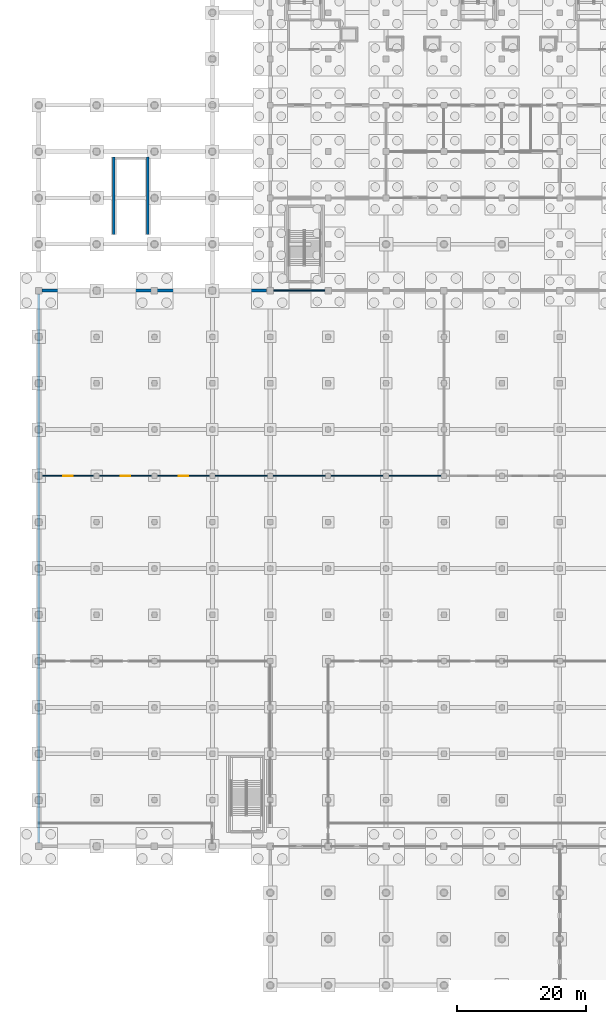
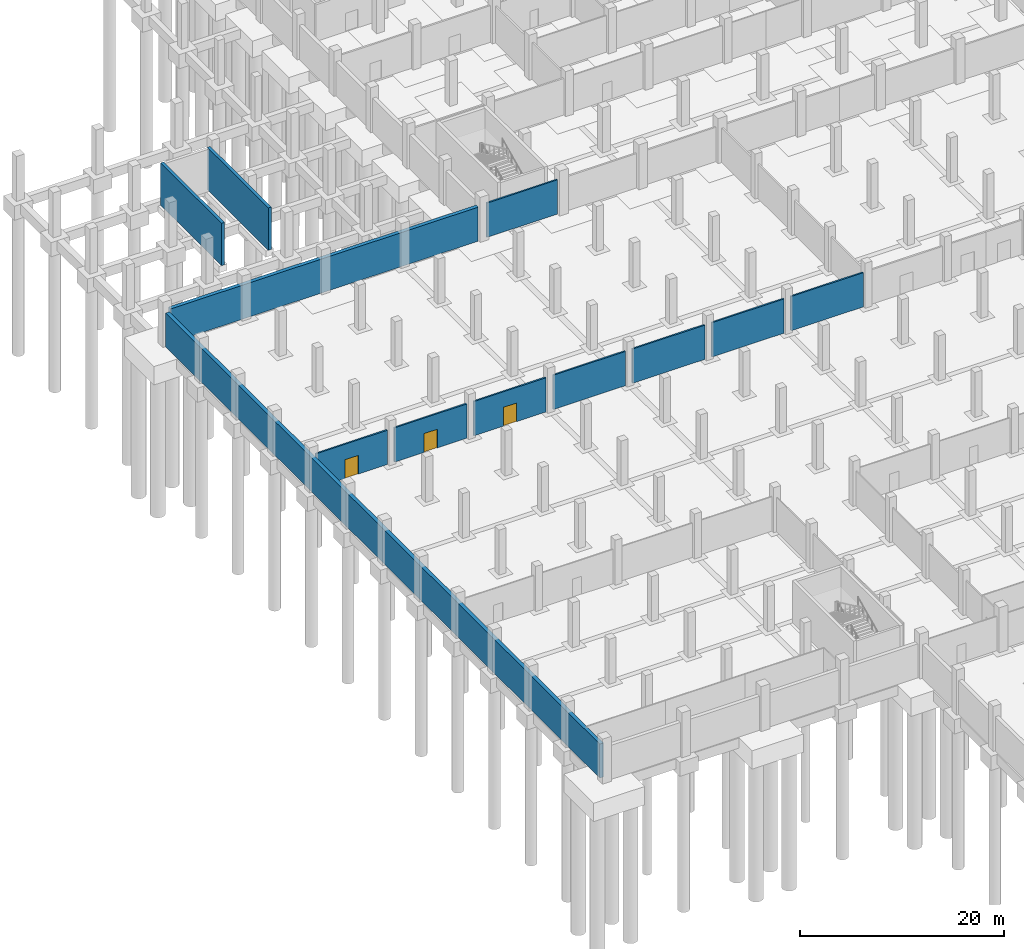
# One storey, part 19 of 39: 12 walls, 3 doors, 3 openings.
"""IFC4 building model written with IfcOpenShell, lengths in metres."""

from ifc_helpers import new_model, si_unit, direction, frame, frame_2d, origin, place, context, subcontext, project, spatial, rectangle, extrude, material, layer, layer_set, type_object, element, fill, save


model = new_model("IFC4")

# Units and contexts
model_context = context("Model", 3, precision=1e-05, world=origin(), true_north=direction((0.0, 1.0)))
body_context = subcontext(model_context, "Body", "Model", "MODEL_VIEW")
ifc_project = project(units=[si_unit("LENGTHUNIT", "METRE"), si_unit("AREAUNIT", "SQUARE_METRE"), si_unit("VOLUMEUNIT", "CUBIC_METRE"), si_unit("PLANEANGLEUNIT", "RADIAN"), si_unit("MASSUNIT", "GRAM", prefix="KILO")], contexts=[model_context])

# Site, building, storey
site_placement = place(None, origin())
site = spatial("IfcSite", under=ifc_project, at=site_placement, CompositionType="ELEMENT")
building_placement = place(site_placement, origin())
building = spatial("IfcBuilding", under=site, at=building_placement, Name="Celestram Park Convention Centre", CompositionType="ELEMENT")
storey_placement = place(building_placement, frame((0.0, 0.0, -5.39990234375)))
storey = spatial("IfcBuildingStorey", under=building, at=storey_placement, Name="B1", CompositionType="ELEMENT", Elevation=-5.39990234375)

# Wall, opening, door
ifc_material_1 = material(Name="Fire-Rated Gypsum & Steel Stud 180 mm", Category="steel")
ifc_layer_1 = layer(ifc_material_1, 0.179931640625)
ifc_layer_set_1 = layer_set([ifc_layer_1], Name="Fire-Rated Gypsum & Steel Stud 180 mm")
wall_type_1 = type_object("IfcWallType", Name="ARC-WL-PRT180", PredefinedType="PARTITIONING", material=ifc_layer_set_1)
wall_1_placement = place(storey_placement, frame((0.498046875, 79.199951171875, 0.0), z_axis=(0.0, 0.0, 1.0), x_axis=(1.0, 0.0, 0.0)))
wall_1 = element("IfcWall", 1, at=wall_1_placement, inside=storey, type_object=wall_type_1, Name="Interior partition WL-B1-IN0450", PredefinedType="PARTITIONING", context=body_context, shape_type="SweptSolid", body=[
    extrude(rectangle(XDim=8.10400390625, YDim=0.179931640625, at=frame_2d((4.052001953125, 0.0))), origin(), (0.0, 0.0, 1.0), 4.11279296875),
])
opening_1_placement = place(wall_1_placement, frame((3.302001953125, 0.0, 0.0)))
opening_1 = element("IfcOpeningElement", 2, at=opening_1_placement, cuts=wall_1, Name="Opening D-09", PredefinedType="OPENING", context=body_context, shape_type="SweptSolid", body=[
    extrude(rectangle(XDim=1.5, YDim=2.25, at=frame_2d((0.75, 1.125))), frame((0.0, 0.099853515625, 0.0), z_axis=(0.0, -1.0, 0.0), x_axis=(1.0, 0.0, 0.0)), (0.0, 0.0, 1.0), 0.199951171875),
])
ifc_material_2 = material(Name="Galvanised Hollow Metal Plant Double Door", Category="steel")
door_type = type_object("IfcDoorType", Name="ARC-DR-PLT150", OperationType="NOTDEFINED", PredefinedType="DOOR", material=ifc_material_2)
door_1_placement = place(opening_1_placement, origin())
door_1 = element("IfcDoor", 3, at=door_1_placement, inside=storey, type_object=door_type, Name="Central Chiller Plant entrance door", OperationType="DOUBLE_DOOR_SINGLE_SWING", OverallHeight=2.25, OverallWidth=1.5, PredefinedType="DOOR", context=body_context, shape_type="SweptSolid", body=[
    extrude(rectangle(XDim=1.5, YDim=2.25, at=frame_2d((0.75, 1.125))), frame((0.0, 0.02490234375, 0.0), z_axis=(0.0, -1.0, 0.0), x_axis=(1.0, 0.0, 0.0)), (0.0, 0.0, 1.0), 0.050048828125),
])
fill(opening_1, door_1)

wall_2_placement = place(storey_placement, frame((9.39794921875, 79.199951171875, 0.0), z_axis=(0.0, 0.0, 1.0), x_axis=(1.0, 0.0, 0.0)))
wall_2 = element("IfcWall", 4, at=wall_2_placement, inside=storey, type_object=wall_type_1, Name="Interior partition WL-B1-IN0451", PredefinedType="PARTITIONING", context=body_context, shape_type="SweptSolid", body=[
    extrude(rectangle(XDim=8.2041015625, YDim=0.179931640625, at=frame_2d((4.10205078125, 0.0))), origin(), (0.0, 0.0, 1.0), 4.11279296875),
])
opening_2_placement = place(wall_2_placement, frame((3.35205078125, 0.0, 0.0)))
opening_2 = element("IfcOpeningElement", 5, at=opening_2_placement, cuts=wall_2, Name="Opening D-09", PredefinedType="OPENING", context=body_context, shape_type="SweptSolid", body=[
    extrude(rectangle(XDim=1.5, YDim=2.25, at=frame_2d((0.75, 1.125))), frame((0.0, 0.099853515625, 0.0), z_axis=(0.0, -1.0, 0.0), x_axis=(1.0, 0.0, 0.0)), (0.0, 0.0, 1.0), 0.199951171875),
])
door_2_placement = place(opening_2_placement, origin())
door_2 = element("IfcDoor", 6, at=door_2_placement, inside=storey, type_object=door_type, Name="Central Chiller Plant entrance door", OperationType="DOUBLE_DOOR_SINGLE_SWING", OverallHeight=2.25, OverallWidth=1.5, PredefinedType="DOOR", context=body_context, shape_type="SweptSolid", body=[
    extrude(rectangle(XDim=1.5, YDim=2.25, at=frame_2d((0.75, 1.125))), frame((0.0, 0.02490234375, 0.0), z_axis=(0.0, -1.0, 0.0), x_axis=(1.0, 0.0, 0.0)), (0.0, 0.0, 1.0), 0.050048828125),
])
fill(opening_2, door_2)

wall_3_placement = place(storey_placement, frame((18.39794921875, 79.199951171875, 0.0), z_axis=(0.0, 0.0, 1.0), x_axis=(1.0, 0.0, 0.0)))
wall_3 = element("IfcWall", 7, at=wall_3_placement, inside=storey, type_object=wall_type_1, Name="Interior partition WL-B1-IN0452", PredefinedType="PARTITIONING", context=body_context, shape_type="SweptSolid", body=[
    extrude(rectangle(XDim=8.2041015625, YDim=0.179931640625, at=frame_2d((4.10205078125, 0.0))), origin(), (0.0, 0.0, 1.0), 4.11279296875),
])
opening_3_placement = place(wall_3_placement, frame((3.35205078125, 0.0, 0.0)))
opening_3 = element("IfcOpeningElement", 8, at=opening_3_placement, cuts=wall_3, Name="Opening D-09", PredefinedType="OPENING", context=body_context, shape_type="SweptSolid", body=[
    extrude(rectangle(XDim=1.5, YDim=2.25, at=frame_2d((0.75, 1.125))), frame((0.0, 0.099853515625, 0.0), z_axis=(0.0, -1.0, 0.0), x_axis=(1.0, 0.0, 0.0)), (0.0, 0.0, 1.0), 0.199951171875),
])
door_3_placement = place(opening_3_placement, origin())
door_3 = element("IfcDoor", 9, at=door_3_placement, inside=storey, type_object=door_type, Name="Central Chiller Plant entrance door", OperationType="DOUBLE_DOOR_SINGLE_SWING", OverallHeight=2.25, OverallWidth=1.5, PredefinedType="DOOR", context=body_context, shape_type="SweptSolid", body=[
    extrude(rectangle(XDim=1.5, YDim=2.25, at=frame_2d((0.75, 1.125))), frame((0.0, 0.02490234375, 0.0), z_axis=(0.0, -1.0, 0.0), x_axis=(1.0, 0.0, 0.0)), (0.0, 0.0, 1.0), 0.050048828125),
])
fill(opening_3, door_3)

# Walls
for number, where, z_axis, x_axis, name in (
    (10, (27.39794921875, 79.199951171875, 0.0), (0.0, 0.0, 1.0), (1.0, 0.0, 0.0), "Interior partition WL-B1-IN0453"),
    (11, (36.39794921875, 79.199951171875, 0.0), (0.0, 0.0, 1.0), (1.0, 0.0, 0.0), "Interior partition WL-B1-IN0454"),
    (12, (45.39794921875, 79.199951171875, 0.0), (0.0, 0.0, 1.0), (1.0, 0.0, 0.0), "Interior partition WL-B1-IN0455"),
    (13, (54.39794921875, 79.199951171875, 0.0), (0.0, 0.0, 1.0), (1.0, 0.0, 0.0), "Interior partition WL-B1-IN0456"),
):
    element("IfcWall", number, at=place(storey_placement, frame(where, z_axis=z_axis, x_axis=x_axis)), inside=storey, type_object=wall_type_1, Name=name, PredefinedType="PARTITIONING", context=body_context, shape_type="SweptSolid", body=[
        extrude(rectangle(XDim=8.2041015625, YDim=0.179931640625, at=frame_2d((4.10205078125, 0.0))), origin(), (0.0, 0.0, 1.0), 4.11279296875),
    ])
wall_4_placement = place(storey_placement, frame((36.498046875, 108.0, 0.0), z_axis=(0.0, 0.0, 1.0), x_axis=(1.0, 0.0, 0.0)))
element("IfcWall", 14, at=wall_4_placement, inside=storey, type_object=wall_type_1, Name="Interior partition WL-B1-IN0465", PredefinedType="PARTITIONING", context=body_context, shape_type="SweptSolid", body=[
    extrude(rectangle(XDim=8.00390625, YDim=0.179931640625, at=frame_2d((4.001953125, 0.0))), origin(), (0.0, 0.0, 1.0), 4.11279296875),
])
ifc_material_3 = material(Name="Concrete C40/50", Category="concrete")
ifc_layer_2 = layer(ifc_material_3, 0.419921875)
ifc_layer_set_2 = layer_set([ifc_layer_2], Name="Concrete C40/50")
wall_type_2 = type_object("IfcWallType", Name="STR-WL-RET420", PredefinedType="USERDEFINED", material=ifc_layer_set_2)
wall_5_placement = place(storey_placement, frame((0.0, 22.14990234375, 0.0), z_axis=(0.0, 0.0, 1.0), x_axis=(0.0, 1.0, 0.0)))
element("IfcWall", 15, at=wall_5_placement, inside=storey, type_object=wall_type_2, Name="Basement retaining wall WL-B1-RET01", ObjectType="RETAININGWALL", PredefinedType="USERDEFINED", context=body_context, shape_type="SweptSolid", body=[
    extrude(rectangle(XDim=85.300048828125, YDim=0.419921875, at=frame_2d((42.64990234375, 0.0))), origin(), (0.0, 0.0, 1.0), 4.079833984375),
])
wall_6_placement = place(storey_placement, frame((0.550048828125, 108.0, 0.0), z_axis=(0.0, 0.0, 1.0), x_axis=(1.0, 0.0, 0.0)))
element("IfcWall", 16, at=wall_6_placement, inside=storey, type_object=wall_type_2, Name="Basement retaining wall WL-B1-RET02", ObjectType="RETAININGWALL", PredefinedType="USERDEFINED", context=body_context, shape_type="SweptSolid", body=[
    extrude(rectangle(XDim=34.89990234375, YDim=0.419921875, at=frame_2d((17.449951171875, 0.0))), origin(), (0.0, 0.0, 1.0), 4.079833984375),
])
ifc_layer_3 = layer(ifc_material_3, 0.340087890625)
ifc_layer_set_3 = layer_set([ifc_layer_3], Name="Concrete C40/50")
wall_type_3 = type_object("IfcWallType", Name="STR-WL-SHR340", PredefinedType="SHEAR", material=ifc_layer_set_3)
for number, where, z_axis, x_axis, name in (
    (17, (11.669921875, 116.75, 0.0), (0.0, 0.0, 1.0), (0.0, 1.0, 0.0), "Core S15 shear wall L"),
    (18, (16.969970703125, 128.739990234375, 0.0), (0.0, 0.0, 1.0), (0.0, -1.0, 0.0), "Core S15 shear wall R"),
):
    element("IfcWall", number, at=place(storey_placement, frame(where, z_axis=z_axis, x_axis=x_axis)), inside=storey, type_object=wall_type_3, Name=name, PredefinedType="SHEAR", context=body_context, shape_type="SweptSolid", body=[
        extrude(rectangle(XDim=11.989990234375, YDim=0.340087890625, at=frame_2d((5.9951171875, 0.0))), origin(), (0.0, 0.0, 1.0), 5.079833984375),
    ])

save(model, "model.ifc")
